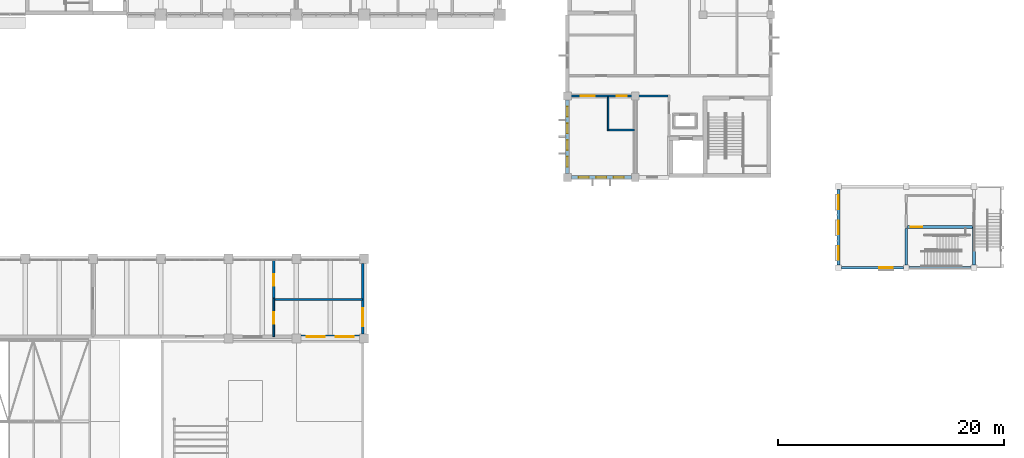
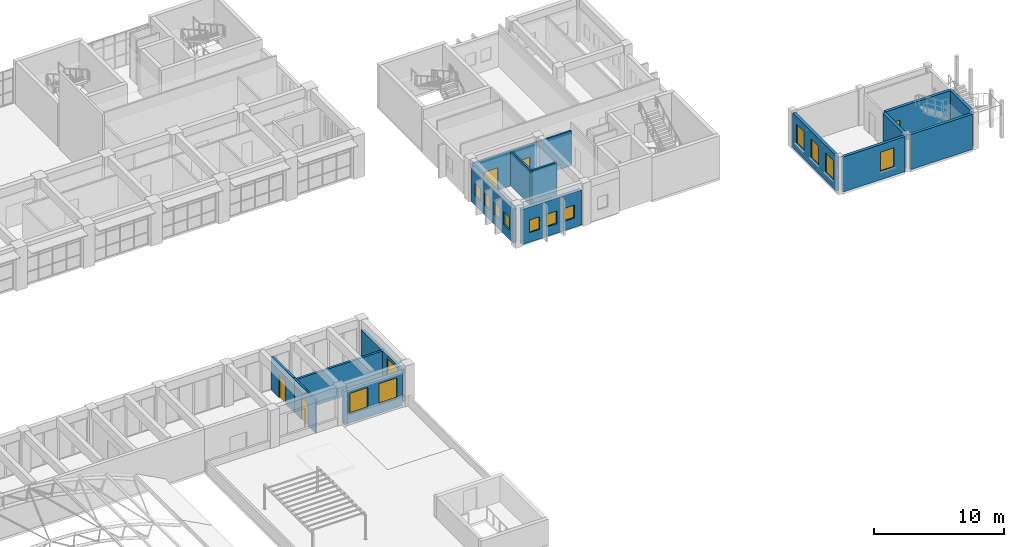
# One storey, part 64 of 92: 16 walls, 14 windows, 5 doors, 19 openings.
"""IFC4 building model written with IfcOpenShell, lengths in metres."""

from ifc_helpers import new_model, si_unit, direction, frame, frame_2d, origin, place, context, subcontext, project, spatial, rectangle, extrude, material, layer, layer_set, type_object, element, fill, save


model = new_model("IFC4")

# Units and contexts
model_context = context("Model", 3, precision=1e-05, world=origin(), true_north=direction((0.0, 1.0)))
body_context = subcontext(model_context, "Body", "Model", "MODEL_VIEW")
ifc_project = project(units=[si_unit("LENGTHUNIT", "METRE"), si_unit("AREAUNIT", "SQUARE_METRE"), si_unit("VOLUMEUNIT", "CUBIC_METRE"), si_unit("PLANEANGLEUNIT", "RADIAN"), si_unit("MASSUNIT", "GRAM", prefix="KILO")], contexts=[model_context])

# Site, building, storey
site_placement = place(None, origin())
site = spatial("IfcSite", under=ifc_project, at=site_placement, CompositionType="ELEMENT")
building_placement = place(site_placement, origin())
building = spatial("IfcBuilding", under=site, at=building_placement, Name="Laocheng Heights Fire and Rescue Headquarters", CompositionType="ELEMENT")
storey_placement = place(building_placement, frame((0.0, 0.0, 12.60009765625)))
storey = spatial("IfcBuildingStorey", under=building, at=storey_placement, Name="L03", CompositionType="ELEMENT", Elevation=12.60009765625)

# Walls
ifc_material_1 = material(Name="Gypsum plaster")
ifc_layer_1 = layer(ifc_material_1, 0.010009765625, Name="PLASTER", Category="plaster")
ifc_material_2 = material(Name="Concrete blockwork MU10", Category="masonry")
ifc_layer_2 = layer(ifc_material_2, 0.1298828125, Name="BLOCKWORK", Category="masonry")
ifc_layer_3 = layer(ifc_material_1, 0.010009765625, Name="PLASTER", Category="plaster")
ifc_layer_set_1 = layer_set([ifc_layer_1, ifc_layer_2, ifc_layer_3], Name="Concrete blockwork MU10")
wall_type_1 = type_object("IfcWallType", Name="BLOCKWORK CORRIDOR WALL 150 EI 60 CREW WING", PredefinedType="PARTITIONING", material=ifc_layer_set_1)
wall_1_placement = place(storey_placement, frame((93.60009765625, 40.125, 0.0), z_axis=(0.0, 0.0, 1.0), x_axis=(0.0, 1.0, 0.0)))
element("IfcWall", 1, at=wall_1_placement, inside=storey, type_object=wall_type_1, Name="Partition L03-001", PredefinedType="PARTITIONING", context=body_context, shape_type="SweptSolid", body=[
    extrude(rectangle(XDim=3.0, YDim=0.14990234375, at=frame_2d((1.5, 0.0))), origin(), (0.0, 0.0, 1.0), 3.2998046875),
])
wall_2_placement = place(storey_placement, frame((93.675048828125, 40.199951171875, 0.0), z_axis=(0.0, 0.0, 1.0), x_axis=(1.0, 0.0, 0.0)))
element("IfcWall", 2, at=wall_2_placement, inside=storey, type_object=wall_type_1, Name="Partition L03-007", PredefinedType="PARTITIONING", context=body_context, shape_type="SweptSolid", body=[
    extrude(rectangle(XDim=2.25, YDim=0.14990234375, at=frame_2d((1.125, 0.0))), origin(), (0.0, 0.0, 1.0), 3.199951171875),
])

# Wall, openings, doors
wall_3_placement = place(storey_placement, frame((90.14990234375, 43.199951171875, 0.0), z_axis=(0.0, 0.0, 1.0), x_axis=(1.0, 0.0, 0.0)))
wall_3 = element("IfcWall", 3, at=wall_3_placement, inside=storey, type_object=wall_type_1, Name="Partition L03-008", PredefinedType="PARTITIONING", context=body_context, shape_type="SweptSolid", body=[
    extrude(rectangle(XDim=8.775146484375, YDim=0.14990234375, at=frame_2d((4.3876953125, 0.0))), origin(), (0.0, 0.0, 1.0), 3.2998046875),
])
opening_1_placement = place(wall_3_placement, frame((1.050048828125, 0.0, 0.0)))
opening_1 = element("IfcOpeningElement", 4, at=opening_1_placement, cuts=wall_3, Name="Opening L03-T02", PredefinedType="OPENING", context=body_context, shape_type="SweptSolid", body=[
    extrude(rectangle(XDim=1.199951171875, YDim=2.10009765625, at=frame_2d((0.60009765625, 1.050048828125))), frame((0.0, 0.0849609375, 0.0), z_axis=(0.0, -1.0, 0.0), x_axis=(1.0, 0.0, 0.0)), (0.0, 0.0, 1.0), 0.169921875),
])
opening_2_placement = place(wall_3_placement, frame((4.199951171875, 0.0, 0.0)))
opening_2 = element("IfcOpeningElement", 5, at=opening_2_placement, cuts=wall_3, Name="Opening L03-T03", PredefinedType="OPENING", context=body_context, shape_type="SweptSolid", body=[
    extrude(rectangle(XDim=0.89990234375, YDim=2.10009765625, at=frame_2d((0.449951171875, 1.050048828125))), frame((0.0, 0.0849609375, 0.0), z_axis=(0.0, -1.0, 0.0), x_axis=(1.0, 0.0, 0.0)), (0.0, 0.0, 1.0), 0.169921875),
])
ifc_material_3 = material(Name="Timber door leaf, veneered", Category="wood")
door_type_1 = type_object("IfcDoorType", Name="TIMBER DOOR 1200x2100 EI 30 CREW WING", OperationType="SINGLE_SWING_LEFT", PredefinedType="DOOR", material=ifc_material_3)
door_1_placement = place(opening_1_placement, frame((1.199951171875, 0.0, 0.0), z_axis=(0.0, 0.0, 1.0), x_axis=(-1.0, 0.0, 0.0)))
door_1 = element("IfcDoor", 6, at=door_1_placement, inside=storey, type_object=door_type_1, Name="Door L03-T02", OperationType="SINGLE_SWING_RIGHT", OverallHeight=2.10009765625, OverallWidth=1.199951171875, PredefinedType="DOOR", context=body_context, shape_type="SweptSolid", body=[
    extrude(rectangle(XDim=1.199951171875, YDim=2.10009765625, at=frame_2d((0.60009765625, 1.050048828125))), frame((0.0, 0.02490234375, 0.0), z_axis=(0.0, -1.0, 0.0), x_axis=(1.0, 0.0, 0.0)), (0.0, 0.0, 1.0), 0.050048828125),
])
fill(opening_1, door_1)
ifc_material_4 = material(Name="Timber door leaf, veneered", Category="wood")
door_type_2 = type_object("IfcDoorType", Name="TIMBER DOOR 900x2100 EI 30 CREW WING", OperationType="SINGLE_SWING_LEFT", PredefinedType="DOOR", material=ifc_material_4)
door_2_placement = place(opening_2_placement, frame((0.89990234375, 0.0, 0.0), z_axis=(0.0, 0.0, 1.0), x_axis=(-1.0, 0.0, 0.0)))
door_2 = element("IfcDoor", 7, at=door_2_placement, inside=storey, type_object=door_type_2, Name="Door L03-T03", OperationType="SINGLE_SWING_LEFT", OverallHeight=2.10009765625, OverallWidth=0.89990234375, PredefinedType="DOOR", context=body_context, shape_type="SweptSolid", body=[
    extrude(rectangle(XDim=0.89990234375, YDim=2.10009765625, at=frame_2d((0.449951171875, 1.050048828125))), frame((0.0, 0.02490234375, 0.0), z_axis=(0.0, -1.0, 0.0), x_axis=(1.0, 0.0, 0.0)), (0.0, 0.0, 1.0), 0.050048828125),
])
fill(opening_2, door_2)

# Wall, opening, door
ifc_material_5 = material(Name="Gypsum plaster")
ifc_layer_4 = layer(ifc_material_5, 0.010009765625, Name="PLASTER", Category="plaster")
ifc_material_6 = material(Name="Concrete blockwork MU10", Category="masonry")
ifc_layer_5 = layer(ifc_material_6, 0.179931640625, Name="BLOCKWORK", Category="masonry")
ifc_layer_6 = layer(ifc_material_5, 0.010009765625, Name="PLASTER", Category="plaster")
ifc_layer_set_2 = layer_set([ifc_layer_4, ifc_layer_5, ifc_layer_6], Name="Concrete blockwork MU10")
wall_type_2 = type_object("IfcWallType", Name="BLOCKWORK FIRE PARTITION 200 EI 60 GALLERY", PredefinedType="PARTITIONING", material=ifc_layer_set_2)
wall_4_placement = place(storey_placement, frame((64.0, 25.10009765625, 0.0), z_axis=(0.0, 0.0, 1.0), x_axis=(0.0, 1.0, 0.0)))
wall_4 = element("IfcWall", 8, at=wall_4_placement, inside=storey, type_object=wall_type_2, Name="Partition L03-006", PredefinedType="PARTITIONING", context=body_context, shape_type="SweptSolid", body=[
    extrude(rectangle(XDim=3.5498046875, YDim=0.199951171875, at=frame_2d((1.77490234375, 0.0))), origin(), (0.0, 0.0, 1.0), 3.14990234375),
])
opening_3_placement = place(wall_4_placement, frame((1.324951171875, 0.0, 0.0)))
opening_3 = element("IfcOpeningElement", 9, at=opening_3_placement, cuts=wall_4, Name="Opening L03-M04", PredefinedType="OPENING", context=body_context, shape_type="SweptSolid", body=[
    extrude(rectangle(XDim=1.0, YDim=2.10009765625, at=frame_2d((0.5, 1.050048828125))), frame((0.0, 0.10986328125, 0.0), z_axis=(0.0, -1.0, 0.0), x_axis=(1.0, 0.0, 0.0)), (0.0, 0.0, 1.0), 0.219970703125),
])
ifc_material_7 = material(Name="Steel door leaf, painted", Category="steel")
door_type_3 = type_object("IfcDoorType", Name="STEEL FIRE DOOR 1000x2100 EI 60 GALLERY", OperationType="SINGLE_SWING_LEFT", PredefinedType="DOOR", material=ifc_material_7)
door_3_placement = place(opening_3_placement, frame((1.0, 0.0, 0.0), z_axis=(0.0, 0.0, 1.0), x_axis=(-1.0, 0.0, 0.0)))
door_3 = element("IfcDoor", 10, at=door_3_placement, inside=storey, type_object=door_type_3, Name="Door L03-M04", OperationType="SINGLE_SWING_RIGHT", OverallHeight=2.10009765625, OverallWidth=1.0, PredefinedType="DOOR", context=body_context, shape_type="SweptSolid", body=[
    extrude(rectangle(XDim=1.0, YDim=2.10009765625, at=frame_2d((0.5, 1.050048828125))), frame((0.0, 0.02490234375, 0.0), z_axis=(0.0, -1.0, 0.0), x_axis=(1.0, 0.0, 0.0)), (0.0, 0.0, 1.0), 0.050048828125),
])
fill(opening_3, door_3)

# Wall
wall_5_placement = place(storey_placement, frame((64.10009765625, 25.199951171875, 0.0), z_axis=(0.0, 0.0, 1.0), x_axis=(1.0, 0.0, 0.0)))
element("IfcWall", 11, at=wall_5_placement, inside=storey, type_object=wall_type_2, Name="Partition L03-008", PredefinedType="PARTITIONING", context=body_context, shape_type="SweptSolid", body=[
    extrude(rectangle(XDim=7.75, YDim=0.199951171875, at=frame_2d((3.875, 0.0))), origin(), (0.0, 0.0, 1.0), 3.0498046875),
])

# Wall, opening, door
ifc_material_8 = material(Name="Gypsum plaster")
ifc_layer_7 = layer(ifc_material_8, 0.010009765625, Name="PLASTER", Category="plaster")
ifc_material_9 = material(Name="Concrete blockwork MU10", Category="masonry")
ifc_layer_8 = layer(ifc_material_9, 0.1298828125, Name="BLOCKWORK", Category="masonry")
ifc_layer_9 = layer(ifc_material_8, 0.010009765625, Name="PLASTER", Category="plaster")
ifc_layer_set_3 = layer_set([ifc_layer_7, ifc_layer_8, ifc_layer_9], Name="Concrete blockwork MU10")
wall_type_3 = type_object("IfcWallType", Name="BLOCKWORK PARTITION 150 EI 45 GALLERY", PredefinedType="PARTITIONING", material=ifc_layer_set_3)
wall_6_placement = place(storey_placement, frame((64.0, 21.89990234375, 0.0), z_axis=(0.0, 0.0, 1.0), x_axis=(0.0, 1.0, 0.0)))
wall_6 = element("IfcWall", 12, at=wall_6_placement, inside=storey, type_object=wall_type_3, Name="Partition L03-005", PredefinedType="PARTITIONING", context=body_context, shape_type="SweptSolid", body=[
    extrude(rectangle(XDim=3.400146484375, YDim=0.14990234375, at=frame_2d((1.7001953125, 0.0))), origin(), (0.0, 0.0, 1.0), 3.14990234375),
])
opening_4_placement = place(wall_6_placement, frame((1.14990234375, 0.0, 0.0)))
opening_4 = element("IfcOpeningElement", 13, at=opening_4_placement, cuts=wall_6, Name="Opening L03-M03", PredefinedType="OPENING", context=body_context, shape_type="SweptSolid", body=[
    extrude(rectangle(XDim=1.0, YDim=2.10009765625, at=frame_2d((0.5, 1.050048828125))), frame((0.0, 0.0849609375, 0.0), z_axis=(0.0, -1.0, 0.0), x_axis=(1.0, 0.0, 0.0)), (0.0, 0.0, 1.0), 0.169921875),
])
ifc_material_10 = material(Name="Steel door leaf, painted", Category="steel")
door_type_4 = type_object("IfcDoorType", Name="STEEL FIRE DOOR 1000x2100 EI 45 GALLERY", OperationType="SINGLE_SWING_LEFT", PredefinedType="DOOR", material=ifc_material_10)
door_4_placement = place(opening_4_placement, frame((1.0, 0.0, 0.0), z_axis=(0.0, 0.0, 1.0), x_axis=(-1.0, 0.0, 0.0)))
door_4 = element("IfcDoor", 14, at=door_4_placement, inside=storey, type_object=door_type_4, Name="Door L03-M03", OperationType="SINGLE_SWING_RIGHT", OverallHeight=2.10009765625, OverallWidth=1.0, PredefinedType="DOOR", context=body_context, shape_type="SweptSolid", body=[
    extrude(rectangle(XDim=1.0, YDim=2.10009765625, at=frame_2d((0.5, 1.050048828125))), frame((0.0, 0.02490234375, 0.0), z_axis=(0.0, -1.0, 0.0), x_axis=(1.0, 0.0, 0.0)), (0.0, 0.0, 1.0), 0.050048828125),
])
fill(opening_4, door_4)

# Wall, opening, window
ifc_material_11 = material(Name="Precast concrete C40/50", Category="concrete")
ifc_layer_10 = layer(ifc_material_11, 0.25)
ifc_layer_set_4 = layer_set([ifc_layer_10], Name="Precast concrete C40/50")
wall_type_4 = type_object("IfcWallType", Name="PRECAST PANEL WALL 250 GALLERY", PredefinedType="SOLIDWALL", material=ifc_layer_set_4)
wall_7_placement = place(storey_placement, frame((71.875, 22.14990234375, 0.0), z_axis=(0.0, 0.0, 1.0), x_axis=(0.0, 1.0, 0.0)))
wall_7 = element("IfcWall", 15, at=wall_7_placement, inside=storey, type_object=wall_type_4, Name="Gallery wall L03", PredefinedType="SOLIDWALL", context=body_context, shape_type="SweptSolid", body=[
    extrude(rectangle(XDim=6.25, YDim=0.25, at=frame_2d((3.125, 0.0))), origin(), (0.0, 0.0, 1.0), 3.0498046875),
])
opening_5_placement = place(wall_7_placement, frame((0.675048828125, 0.0, 0.89990234375)))
opening_5 = element("IfcOpeningElement", 16, at=opening_5_placement, cuts=wall_7, Name="Opening N3-E", PredefinedType="OPENING", context=body_context, shape_type="SweptSolid", body=[
    extrude(rectangle(XDim=1.60009765625, YDim=1.89990234375, at=frame_2d((0.800048828125, 0.949951171875))), frame((0.0, 0.135009765625, 0.0), z_axis=(0.0, -1.0, 0.0), x_axis=(1.0, 0.0, 0.0)), (0.0, 0.0, 1.0), 0.27001953125),
])
ifc_material_12 = material(Name="Low-e double glazing in thermally broken aluminium frame", Category="aluminium")
window_type_1 = type_object("IfcWindowType", Name="GALLERY WINDOW 1600 x 1900 SILL 900", PartitioningType="SINGLE_PANEL", PredefinedType="WINDOW", material=ifc_material_12)
window_1_placement = place(opening_5_placement, origin())
window_1 = element("IfcWindow", 17, at=window_1_placement, inside=storey, type_object=window_type_1, Name="Gallery window L03", OverallHeight=1.89990234375, OverallWidth=1.60009765625, PartitioningType="SINGLE_PANEL", PredefinedType="WINDOW", context=body_context, shape_type="SweptSolid", body=[
    extrude(rectangle(XDim=1.60009765625, YDim=1.89990234375, at=frame_2d((0.800048828125, 0.949951171875))), frame((0.0, 0.030029296875, 0.0), z_axis=(0.0, -1.0, 0.0), x_axis=(1.0, 0.0, 0.0)), (0.0, 0.0, 1.0), 0.06005859375),
])
fill(opening_5, window_1)

# Wall, openings, windows
ifc_material_13 = material(Name="Precast concrete C40/50", Category="concrete")
ifc_layer_11 = layer(ifc_material_13, 0.300048828125)
ifc_layer_set_5 = layer_set([ifc_layer_11], Name="Precast concrete C40/50")
wall_type_5 = type_object("IfcWallType", Name="PRECAST PANEL WALL 300 GALLERY SOUTH", PredefinedType="SOLIDWALL", material=ifc_layer_set_5)
wall_8_placement = place(storey_placement, frame((66.39990234375, 21.89990234375, 0.0), z_axis=(0.0, 0.0, 1.0), x_axis=(1.0, 0.0, 0.0)))
wall_8 = element("IfcWall", 18, at=wall_8_placement, inside=storey, type_object=wall_type_5, Name="Gallery wall L03", PredefinedType="SOLIDWALL", context=body_context, shape_type="SweptSolid", body=[
    extrude(rectangle(XDim=5.2001953125, YDim=0.300048828125, at=frame_2d((2.60009765625, 0.0))), origin(), (0.0, 0.0, 1.0), 3.14990234375),
])
opening_6_placement = place(wall_8_placement, frame((0.5, 0.0, 0.89990234375)))
opening_6 = element("IfcOpeningElement", 19, at=opening_6_placement, cuts=wall_8, Name="Opening N3-E", PredefinedType="OPENING", context=body_context, shape_type="SweptSolid", body=[
    extrude(rectangle(XDim=1.60009765625, YDim=1.89990234375, at=frame_2d((0.800048828125, 0.949951171875))), frame((0.0, 0.159912109375, 0.0), z_axis=(0.0, -1.0, 0.0), x_axis=(1.0, 0.0, 0.0)), (0.0, 0.0, 1.0), 0.320068359375),
])
opening_7_placement = place(wall_8_placement, frame((3.10009765625, 0.0, 0.89990234375)))
opening_7 = element("IfcOpeningElement", 20, at=opening_7_placement, cuts=wall_8, Name="Opening N3-E", PredefinedType="OPENING", context=body_context, shape_type="SweptSolid", body=[
    extrude(rectangle(XDim=1.60009765625, YDim=1.89990234375, at=frame_2d((0.800048828125, 0.949951171875))), frame((0.0, 0.159912109375, 0.0), z_axis=(0.0, -1.0, 0.0), x_axis=(1.0, 0.0, 0.0)), (0.0, 0.0, 1.0), 0.320068359375),
])
window_2_placement = place(opening_6_placement, origin())
window_2 = element("IfcWindow", 21, at=window_2_placement, inside=storey, type_object=window_type_1, Name="Gallery window L03", OverallHeight=1.89990234375, OverallWidth=1.60009765625, PartitioningType="SINGLE_PANEL", PredefinedType="WINDOW", context=body_context, shape_type="SweptSolid", body=[
    extrude(rectangle(XDim=1.60009765625, YDim=1.89990234375, at=frame_2d((0.800048828125, 0.949951171875))), frame((0.0, 0.030029296875, 0.0), z_axis=(0.0, -1.0, 0.0), x_axis=(1.0, 0.0, 0.0)), (0.0, 0.0, 1.0), 0.06005859375),
])
fill(opening_6, window_2)
window_3_placement = place(opening_7_placement, origin())
window_3 = element("IfcWindow", 22, at=window_3_placement, inside=storey, type_object=window_type_1, Name="Gallery window L03", OverallHeight=1.89990234375, OverallWidth=1.60009765625, PartitioningType="SINGLE_PANEL", PredefinedType="WINDOW", context=body_context, shape_type="SweptSolid", body=[
    extrude(rectangle(XDim=1.60009765625, YDim=1.89990234375, at=frame_2d((0.800048828125, 0.949951171875))), frame((0.0, 0.030029296875, 0.0), z_axis=(0.0, -1.0, 0.0), x_axis=(1.0, 0.0, 0.0)), (0.0, 0.0, 1.0), 0.06005859375),
])
fill(opening_7, window_3)

ifc_material_14 = material(Name="Precast concrete C40/50", Category="concrete")
ifc_layer_12 = layer(ifc_material_14, 0.300048828125)
ifc_layer_set_6 = layer_set([ifc_layer_12], Name="Precast concrete C40/50")
wall_type_6 = type_object("IfcWallType", Name="PRECAST WALL PANEL CREW 300", PredefinedType="SOLIDWALL", material=ifc_layer_set_6)
wall_9_placement = place(storey_placement, frame((90.0, 36.35009765625, 0.0), z_axis=(0.0, 0.0, 1.0), x_axis=(0.0, 1.0, 0.0)))
wall_9 = element("IfcWall", 23, at=wall_9_placement, inside=storey, type_object=wall_type_6, Name="PRECAST WALL PANEL CREW CREW WEST L03", PredefinedType="SOLIDWALL", context=body_context, shape_type="SweptSolid", body=[
    extrude(rectangle(XDim=6.5, YDim=0.300048828125, at=frame_2d((3.25, 0.0))), origin(), (0.0, 0.0, 1.0), 3.199951171875),
])
opening_8_placement = place(wall_9_placement, frame((0.580078125, 0.0, 0.89990234375)))
opening_8 = element("IfcOpeningElement", 24, at=opening_8_placement, cuts=wall_9, Name="Opening N2-W", PredefinedType="OPENING", context=body_context, shape_type="SweptSolid", body=[
    extrude(rectangle(XDim=0.89990234375, YDim=1.199951171875, at=frame_2d((0.449951171875, 0.60009765625))), frame((0.0, 0.159912109375, 0.0), z_axis=(0.0, -1.0, 0.0), x_axis=(1.0, 0.0, 0.0)), (0.0, 0.0, 1.0), 0.320068359375),
])
opening_9_placement = place(wall_9_placement, frame((2.06005859375, 0.0, 0.89990234375)))
opening_9 = element("IfcOpeningElement", 25, at=opening_9_placement, cuts=wall_9, Name="Opening N2-W", PredefinedType="OPENING", context=body_context, shape_type="SweptSolid", body=[
    extrude(rectangle(XDim=0.89990234375, YDim=1.199951171875, at=frame_2d((0.449951171875, 0.60009765625))), frame((0.0, 0.159912109375, 0.0), z_axis=(0.0, -1.0, 0.0), x_axis=(1.0, 0.0, 0.0)), (0.0, 0.0, 1.0), 0.320068359375),
])
opening_10_placement = place(wall_9_placement, frame((3.5400390625, 0.0, 0.89990234375)))
opening_10 = element("IfcOpeningElement", 26, at=opening_10_placement, cuts=wall_9, Name="Opening N2-W", PredefinedType="OPENING", context=body_context, shape_type="SweptSolid", body=[
    extrude(rectangle(XDim=0.89990234375, YDim=1.199951171875, at=frame_2d((0.449951171875, 0.60009765625))), frame((0.0, 0.159912109375, 0.0), z_axis=(0.0, -1.0, 0.0), x_axis=(1.0, 0.0, 0.0)), (0.0, 0.0, 1.0), 0.320068359375),
])
opening_11_placement = place(wall_9_placement, frame((5.02001953125, 0.0, 0.89990234375)))
opening_11 = element("IfcOpeningElement", 27, at=opening_11_placement, cuts=wall_9, Name="Opening N2-W", PredefinedType="OPENING", context=body_context, shape_type="SweptSolid", body=[
    extrude(rectangle(XDim=0.89990234375, YDim=1.199951171875, at=frame_2d((0.449951171875, 0.60009765625))), frame((0.0, 0.159912109375, 0.0), z_axis=(0.0, -1.0, 0.0), x_axis=(1.0, 0.0, 0.0)), (0.0, 0.0, 1.0), 0.320068359375),
])
ifc_material_15 = material(Name="Low-e double glazing in aluminium frame", Category="aluminium")
window_type_2 = type_object("IfcWindowType", Name="WINDOW 900 x 1200 CREW DORMITORY", PartitioningType="SINGLE_PANEL", PredefinedType="WINDOW", material=ifc_material_15)
window_4_placement = place(opening_8_placement, origin())
window_4 = element("IfcWindow", 28, at=window_4_placement, inside=storey, type_object=window_type_2, Name="CREW DORMITORY CREW WEST L03", OverallHeight=1.199951171875, OverallWidth=0.89990234375, PartitioningType="SINGLE_PANEL", PredefinedType="WINDOW", context=body_context, shape_type="SweptSolid", body=[
    extrude(rectangle(XDim=0.89990234375, YDim=1.199951171875, at=frame_2d((0.449951171875, 0.60009765625))), frame((0.0, 0.030029296875, 0.0), z_axis=(0.0, -1.0, 0.0), x_axis=(1.0, 0.0, 0.0)), (0.0, 0.0, 1.0), 0.06005859375),
])
fill(opening_8, window_4)
window_5_placement = place(opening_9_placement, origin())
window_5 = element("IfcWindow", 29, at=window_5_placement, inside=storey, type_object=window_type_2, Name="CREW DORMITORY CREW WEST L03", OverallHeight=1.199951171875, OverallWidth=0.89990234375, PartitioningType="SINGLE_PANEL", PredefinedType="WINDOW", context=body_context, shape_type="SweptSolid", body=[
    extrude(rectangle(XDim=0.89990234375, YDim=1.199951171875, at=frame_2d((0.449951171875, 0.60009765625))), frame((0.0, 0.030029296875, 0.0), z_axis=(0.0, -1.0, 0.0), x_axis=(1.0, 0.0, 0.0)), (0.0, 0.0, 1.0), 0.06005859375),
])
fill(opening_9, window_5)
window_6_placement = place(opening_10_placement, origin())
window_6 = element("IfcWindow", 30, at=window_6_placement, inside=storey, type_object=window_type_2, Name="CREW DORMITORY CREW WEST L03", OverallHeight=1.199951171875, OverallWidth=0.89990234375, PartitioningType="SINGLE_PANEL", PredefinedType="WINDOW", context=body_context, shape_type="SweptSolid", body=[
    extrude(rectangle(XDim=0.89990234375, YDim=1.199951171875, at=frame_2d((0.449951171875, 0.60009765625))), frame((0.0, 0.030029296875, 0.0), z_axis=(0.0, -1.0, 0.0), x_axis=(1.0, 0.0, 0.0)), (0.0, 0.0, 1.0), 0.06005859375),
])
fill(opening_10, window_6)
window_7_placement = place(opening_11_placement, origin())
window_7 = element("IfcWindow", 31, at=window_7_placement, inside=storey, type_object=window_type_2, Name="CREW DORMITORY CREW WEST L03", OverallHeight=1.199951171875, OverallWidth=0.89990234375, PartitioningType="SINGLE_PANEL", PredefinedType="WINDOW", context=body_context, shape_type="SweptSolid", body=[
    extrude(rectangle(XDim=0.89990234375, YDim=1.199951171875, at=frame_2d((0.449951171875, 0.60009765625))), frame((0.0, 0.030029296875, 0.0), z_axis=(0.0, -1.0, 0.0), x_axis=(1.0, 0.0, 0.0)), (0.0, 0.0, 1.0), 0.06005859375),
])
fill(opening_11, window_7)

wall_10_placement = place(storey_placement, frame((90.35009765625, 36.0, 0.0), z_axis=(0.0, 0.0, 1.0), x_axis=(1.0, 0.0, 0.0)))
wall_10 = element("IfcWall", 32, at=wall_10_placement, inside=storey, type_object=wall_type_6, Name="PRECAST WALL PANEL CREW CREW SOUTH L03", PredefinedType="SOLIDWALL", context=body_context, shape_type="SweptSolid", body=[
    extrude(rectangle(XDim=5.2998046875, YDim=0.300048828125, at=frame_2d((2.64990234375, 0.0))), origin(), (0.0, 0.0, 1.0), 3.2998046875),
])
opening_12_placement = place(wall_10_placement, frame((0.64990234375, 0.0, 0.89990234375)))
opening_12 = element("IfcOpeningElement", 33, at=opening_12_placement, cuts=wall_10, Name="Opening N2-W", PredefinedType="OPENING", context=body_context, shape_type="SweptSolid", body=[
    extrude(rectangle(XDim=0.89990234375, YDim=1.199951171875, at=frame_2d((0.449951171875, 0.60009765625))), frame((0.0, 0.159912109375, 0.0), z_axis=(0.0, -1.0, 0.0), x_axis=(1.0, 0.0, 0.0)), (0.0, 0.0, 1.0), 0.320068359375),
])
opening_13_placement = place(wall_10_placement, frame((2.199951171875, 0.0, 0.89990234375)))
opening_13 = element("IfcOpeningElement", 34, at=opening_13_placement, cuts=wall_10, Name="Opening N2-W", PredefinedType="OPENING", context=body_context, shape_type="SweptSolid", body=[
    extrude(rectangle(XDim=0.89990234375, YDim=1.199951171875, at=frame_2d((0.449951171875, 0.60009765625))), frame((0.0, 0.159912109375, 0.0), z_axis=(0.0, -1.0, 0.0), x_axis=(1.0, 0.0, 0.0)), (0.0, 0.0, 1.0), 0.320068359375),
])
opening_14_placement = place(wall_10_placement, frame((3.75, 0.0, 0.89990234375)))
opening_14 = element("IfcOpeningElement", 35, at=opening_14_placement, cuts=wall_10, Name="Opening N2-W", PredefinedType="OPENING", context=body_context, shape_type="SweptSolid", body=[
    extrude(rectangle(XDim=0.89990234375, YDim=1.199951171875, at=frame_2d((0.449951171875, 0.60009765625))), frame((0.0, 0.159912109375, 0.0), z_axis=(0.0, -1.0, 0.0), x_axis=(1.0, 0.0, 0.0)), (0.0, 0.0, 1.0), 0.320068359375),
])
window_8_placement = place(opening_12_placement, origin())
window_8 = element("IfcWindow", 36, at=window_8_placement, inside=storey, type_object=window_type_2, Name="CREW DORMITORY CREW SOUTH L03", OverallHeight=1.199951171875, OverallWidth=0.89990234375, PartitioningType="SINGLE_PANEL", PredefinedType="WINDOW", context=body_context, shape_type="SweptSolid", body=[
    extrude(rectangle(XDim=0.89990234375, YDim=1.199951171875, at=frame_2d((0.449951171875, 0.60009765625))), frame((0.0, 0.030029296875, 0.0), z_axis=(0.0, -1.0, 0.0), x_axis=(1.0, 0.0, 0.0)), (0.0, 0.0, 1.0), 0.06005859375),
])
fill(opening_12, window_8)
window_9_placement = place(opening_13_placement, origin())
window_9 = element("IfcWindow", 37, at=window_9_placement, inside=storey, type_object=window_type_2, Name="CREW DORMITORY CREW SOUTH L03", OverallHeight=1.199951171875, OverallWidth=0.89990234375, PartitioningType="SINGLE_PANEL", PredefinedType="WINDOW", context=body_context, shape_type="SweptSolid", body=[
    extrude(rectangle(XDim=0.89990234375, YDim=1.199951171875, at=frame_2d((0.449951171875, 0.60009765625))), frame((0.0, 0.030029296875, 0.0), z_axis=(0.0, -1.0, 0.0), x_axis=(1.0, 0.0, 0.0)), (0.0, 0.0, 1.0), 0.06005859375),
])
fill(opening_13, window_9)
window_10_placement = place(opening_14_placement, origin())
window_10 = element("IfcWindow", 38, at=window_10_placement, inside=storey, type_object=window_type_2, Name="CREW DORMITORY CREW SOUTH L03", OverallHeight=1.199951171875, OverallWidth=0.89990234375, PartitioningType="SINGLE_PANEL", PredefinedType="WINDOW", context=body_context, shape_type="SweptSolid", body=[
    extrude(rectangle(XDim=0.89990234375, YDim=1.199951171875, at=frame_2d((0.449951171875, 0.60009765625))), frame((0.0, 0.030029296875, 0.0), z_axis=(0.0, -1.0, 0.0), x_axis=(1.0, 0.0, 0.0)), (0.0, 0.0, 1.0), 0.06005859375),
])
fill(opening_14, window_10)

# Wall, opening, window
ifc_material_16 = material(Name="Concrete C40", Category="concrete")
ifc_layer_13 = layer(ifc_material_16, 0.25)
ifc_layer_set_7 = layer_set([ifc_layer_13], Name="Concrete C40")
wall_type_7 = type_object("IfcWallType", Name="RC SHEAR WALL 250 BOARD-MARKED DRILL TOWER", PredefinedType="SHEAR", material=ifc_layer_set_7)
wall_11_placement = place(storey_placement, frame((114.25, 28.0, 1.39990234375), z_axis=(0.0, 0.0, 1.0), x_axis=(1.0, 0.0, 0.0)))
wall_11 = element("IfcWall", 39, at=wall_11_placement, inside=storey, type_object=wall_type_7, Name="Drill tower wall S F5", PredefinedType="SHEAR", context=body_context, shape_type="SweptSolid", body=[
    extrude(rectangle(XDim=5.5, YDim=0.25, at=frame_2d((2.75, 0.0))), origin(), (0.0, 0.0, 1.0), 3.300048828125),
])
opening_15_placement = place(wall_11_placement, frame((3.35009765625, 0.0, 0.800048828125)))
opening_15 = element("IfcOpeningElement", 40, at=opening_15_placement, cuts=wall_11, Name="Opening N6-L", PredefinedType="OPENING", context=body_context, shape_type="SweptSolid", body=[
    extrude(rectangle(XDim=1.199951171875, YDim=1.800048828125, at=frame_2d((0.60009765625, 0.89990234375))), frame((0.0, 0.135009765625, 0.0), z_axis=(0.0, -1.0, 0.0), x_axis=(1.0, 0.0, 0.0)), (0.0, 0.0, 1.0), 0.27001953125),
])
ifc_material_17 = material(Name="Steel frame, single glazing", Category="steel")
window_type_3 = type_object("IfcWindowType", Name="STEEL TRAINING WINDOW 1200 x 1800", PartitioningType="SINGLE_PANEL", PredefinedType="WINDOW", material=ifc_material_17)
window_11_placement = place(opening_15_placement, origin())
window_11 = element("IfcWindow", 41, at=window_11_placement, inside=storey, type_object=window_type_3, Name="Training window fifth floor south face", OverallHeight=1.800048828125, OverallWidth=1.199951171875, PartitioningType="SINGLE_PANEL", PredefinedType="WINDOW", context=body_context, shape_type="SweptSolid", body=[
    extrude(rectangle(XDim=1.199951171875, YDim=1.800048828125, at=frame_2d((0.60009765625, 0.89990234375))), frame((0.0, 0.030029296875, 0.0), z_axis=(0.0, -1.0, 0.0), x_axis=(1.0, 0.0, 0.0)), (0.0, 0.0, 1.0), 0.06005859375),
])
fill(opening_15, window_11)

# Wall, openings, windows
wall_12_placement = place(storey_placement, frame((114.0, 28.25, 1.39990234375), z_axis=(0.0, 0.0, 1.0), x_axis=(0.0, 1.0, 0.0)))
wall_12 = element("IfcWall", 42, at=wall_12_placement, inside=storey, type_object=wall_type_7, Name="Drill tower wall W F5", PredefinedType="SHEAR", context=body_context, shape_type="SweptSolid", body=[
    extrude(rectangle(XDim=6.699951171875, YDim=0.25, at=frame_2d((3.35009765625, 0.0))), origin(), (0.0, 0.0, 1.0), 3.300048828125),
])
opening_16_placement = place(wall_12_placement, frame((0.449951171875, 0.0, 0.800048828125)))
opening_16 = element("IfcOpeningElement", 43, at=opening_16_placement, cuts=wall_12, Name="Opening N6-L", PredefinedType="OPENING", context=body_context, shape_type="SweptSolid", body=[
    extrude(rectangle(XDim=1.199951171875, YDim=1.800048828125, at=frame_2d((0.60009765625, 0.89990234375))), frame((0.0, 0.135009765625, 0.0), z_axis=(0.0, -1.0, 0.0), x_axis=(1.0, 0.0, 0.0)), (0.0, 0.0, 1.0), 0.27001953125),
])
opening_17_placement = place(wall_12_placement, frame((2.699951171875, 0.0, 0.800048828125)))
opening_17 = element("IfcOpeningElement", 44, at=opening_17_placement, cuts=wall_12, Name="Opening N6-L", PredefinedType="OPENING", context=body_context, shape_type="SweptSolid", body=[
    extrude(rectangle(XDim=1.199951171875, YDim=1.800048828125, at=frame_2d((0.60009765625, 0.89990234375))), frame((0.0, 0.135009765625, 0.0), z_axis=(0.0, -1.0, 0.0), x_axis=(1.0, 0.0, 0.0)), (0.0, 0.0, 1.0), 0.27001953125),
])
opening_18_placement = place(wall_12_placement, frame((4.949951171875, 0.0, 0.800048828125)))
opening_18 = element("IfcOpeningElement", 45, at=opening_18_placement, cuts=wall_12, Name="Opening N6-L", PredefinedType="OPENING", context=body_context, shape_type="SweptSolid", body=[
    extrude(rectangle(XDim=1.199951171875, YDim=1.800048828125, at=frame_2d((0.60009765625, 0.89990234375))), frame((0.0, 0.135009765625, 0.0), z_axis=(0.0, -1.0, 0.0), x_axis=(1.0, 0.0, 0.0)), (0.0, 0.0, 1.0), 0.27001953125),
])
window_12_placement = place(opening_16_placement, origin())
window_12 = element("IfcWindow", 46, at=window_12_placement, inside=storey, type_object=window_type_3, Name="Training window fifth floor west face", OverallHeight=1.800048828125, OverallWidth=1.199951171875, PartitioningType="SINGLE_PANEL", PredefinedType="WINDOW", context=body_context, shape_type="SweptSolid", body=[
    extrude(rectangle(XDim=1.199951171875, YDim=1.800048828125, at=frame_2d((0.60009765625, 0.89990234375))), frame((0.0, 0.030029296875, 0.0), z_axis=(0.0, -1.0, 0.0), x_axis=(1.0, 0.0, 0.0)), (0.0, 0.0, 1.0), 0.06005859375),
])
fill(opening_16, window_12)
window_13_placement = place(opening_17_placement, origin())
window_13 = element("IfcWindow", 47, at=window_13_placement, inside=storey, type_object=window_type_3, Name="Training window fifth floor west face", OverallHeight=1.800048828125, OverallWidth=1.199951171875, PartitioningType="SINGLE_PANEL", PredefinedType="WINDOW", context=body_context, shape_type="SweptSolid", body=[
    extrude(rectangle(XDim=1.199951171875, YDim=1.800048828125, at=frame_2d((0.60009765625, 0.89990234375))), frame((0.0, 0.030029296875, 0.0), z_axis=(0.0, -1.0, 0.0), x_axis=(1.0, 0.0, 0.0)), (0.0, 0.0, 1.0), 0.06005859375),
])
fill(opening_17, window_13)
window_14_placement = place(opening_18_placement, origin())
window_14 = element("IfcWindow", 48, at=window_14_placement, inside=storey, type_object=window_type_3, Name="Training window fifth floor west face", OverallHeight=1.800048828125, OverallWidth=1.199951171875, PartitioningType="SINGLE_PANEL", PredefinedType="WINDOW", context=body_context, shape_type="SweptSolid", body=[
    extrude(rectangle(XDim=1.199951171875, YDim=1.800048828125, at=frame_2d((0.60009765625, 0.89990234375))), frame((0.0, 0.030029296875, 0.0), z_axis=(0.0, -1.0, 0.0), x_axis=(1.0, 0.0, 0.0)), (0.0, 0.0, 1.0), 0.06005859375),
])
fill(opening_18, window_14)

# Walls
ifc_material_18 = material(Name="Concrete C50", Category="concrete")
ifc_layer_14 = layer(ifc_material_18, 0.25)
ifc_layer_set_8 = layer_set([ifc_layer_14], Name="Concrete C50")
wall_type_8 = type_object("IfcWallType", Name="RC STAIR ENCLOSURE WALL 250", PredefinedType="SHEAR", material=ifc_layer_set_8)
wall_13_placement = place(storey_placement, frame((120.25, 28.0, 1.39990234375), z_axis=(0.0, 0.0, 1.0), x_axis=(1.0, 0.0, 0.0)))
element("IfcWall", 49, at=wall_13_placement, inside=storey, type_object=wall_type_8, Name="Stair enclosure wall", PredefinedType="SHEAR", context=body_context, shape_type="SweptSolid", body=[
    extrude(rectangle(XDim=5.5, YDim=0.25, at=frame_2d((2.75, 0.0))), origin(), (0.0, 0.0, 1.0), 3.300048828125),
])
wall_14_placement = place(storey_placement, frame((126.0, 28.25, 1.39990234375), z_axis=(0.0, 0.0, 1.0), x_axis=(0.0, 1.0, 0.0)))
element("IfcWall", 50, at=wall_14_placement, inside=storey, type_object=wall_type_8, Name="Stair enclosure wall", PredefinedType="SHEAR", context=body_context, shape_type="SweptSolid", body=[
    extrude(rectangle(XDim=3.35009765625, YDim=0.25, at=frame_2d((1.675048828125, 0.0))), origin(), (0.0, 0.0, 1.0), 3.300048828125),
])
wall_15_placement = place(storey_placement, frame((120.0, 28.25, 1.39990234375), z_axis=(0.0, 0.0, 1.0), x_axis=(0.0, 1.0, 0.0)))
element("IfcWall", 51, at=wall_15_placement, inside=storey, type_object=wall_type_8, Name="Stair enclosure wall", PredefinedType="SHEAR", context=body_context, shape_type="SweptSolid", body=[
    extrude(rectangle(XDim=3.22509765625, YDim=0.25, at=frame_2d((1.612548828125, 0.0))), origin(), (0.0, 0.0, 1.0), 3.300048828125),
])

# Wall, opening, door
wall_16_placement = place(storey_placement, frame((120.125, 31.60009765625, 1.39990234375), z_axis=(0.0, 0.0, 1.0), x_axis=(1.0, 0.0, 0.0)))
wall_16 = element("IfcWall", 52, at=wall_16_placement, inside=storey, type_object=wall_type_8, Name="Stair enclosure wall", PredefinedType="SHEAR", context=body_context, shape_type="SweptSolid", body=[
    extrude(rectangle(XDim=5.75, YDim=0.25, at=frame_2d((2.875, 0.0))), origin(), (0.0, 0.0, 1.0), 3.300048828125),
])
opening_19_placement = place(wall_16_placement, frame((0.27490234375, 0.0, 0.0)))
opening_19 = element("IfcOpeningElement", 53, at=opening_19_placement, cuts=wall_16, Name="Opening L03-K22", PredefinedType="OPENING", context=body_context, shape_type="SweptSolid", body=[
    extrude(rectangle(XDim=1.0, YDim=2.10009765625, at=frame_2d((0.5, 1.050048828125))), frame((0.0, 0.135009765625, 0.0), z_axis=(0.0, -1.0, 0.0), x_axis=(1.0, 0.0, 0.0)), (0.0, 0.0, 1.0), 0.27001953125),
])
ifc_material_19 = material(Name="Painted steel", Category="steel")
door_type_5 = type_object("IfcDoorType", Name="FIRE DOOR 1000x2100 EI 60", OperationType="SINGLE_SWING_LEFT", PredefinedType="DOOR", material=ifc_material_19)
door_5_placement = place(opening_19_placement, origin())
door_5 = element("IfcDoor", 54, at=door_5_placement, inside=storey, type_object=door_type_5, Name="Stair T1 door", OperationType="SINGLE_SWING_LEFT", OverallHeight=2.10009765625, OverallWidth=1.0, PredefinedType="DOOR", context=body_context, shape_type="SweptSolid", body=[
    extrude(rectangle(XDim=1.0, YDim=2.10009765625, at=frame_2d((0.5, 1.050048828125))), frame((0.0, 0.02490234375, 0.0), z_axis=(0.0, -1.0, 0.0), x_axis=(1.0, 0.0, 0.0)), (0.0, 0.0, 1.0), 0.050048828125),
])
fill(opening_19, door_5)

save(model, "model.ifc")
